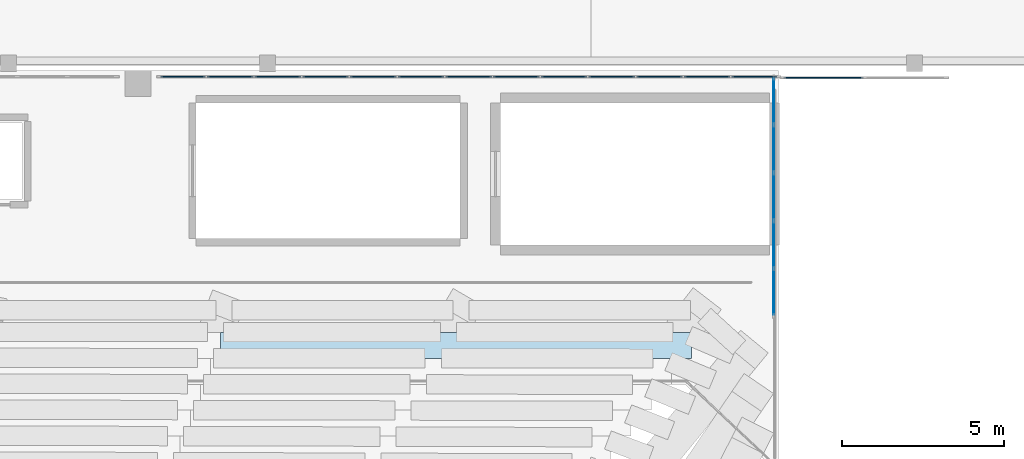
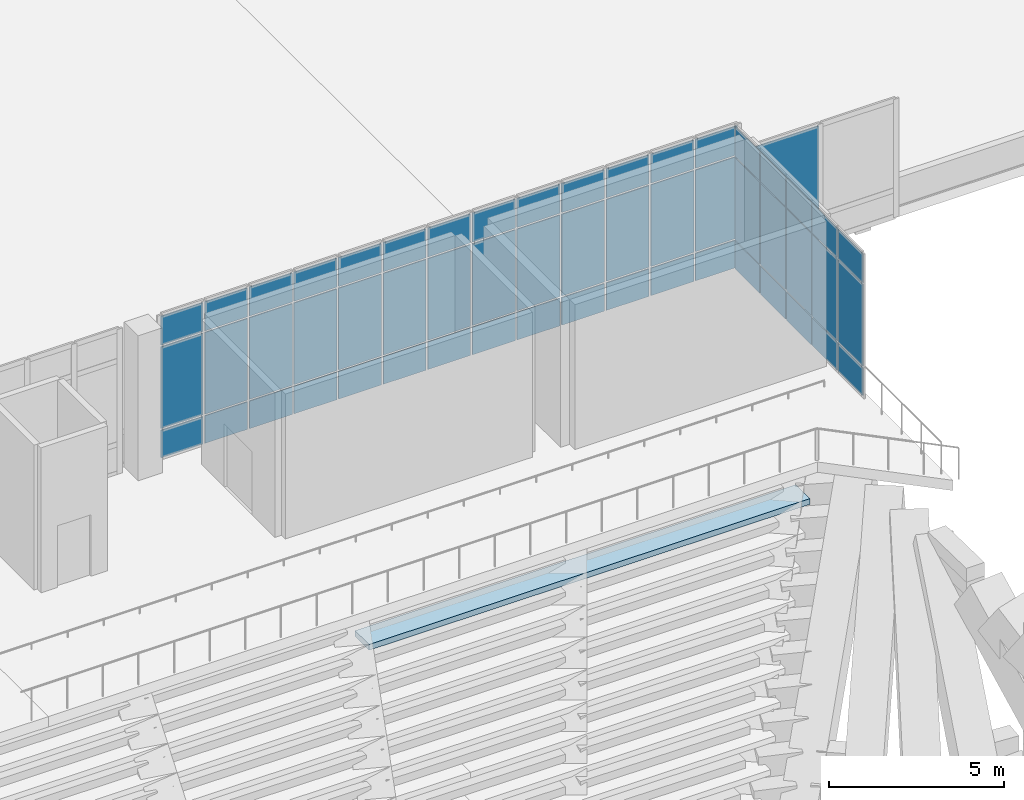
# One storey, part 40 of 55: 56 plates, 1 slab, 3 elements without a shape of their own.
"""IFC4 building model written with IfcOpenShell, lengths in metres."""

from ifc_helpers import new_model, si_unit, derived_unit, direction, frame, origin, origin_2d, place, context, subcontext, project, spatial, polyline, rectangle, outline, extrude, material, layer, layer_set, type_object, element, aggregate, save


model = new_model("IFC4")

# Units and contexts
model_context = context("Model", 3, precision=1e-05, world=origin(), true_north=direction((0.0, 1.0)))
body_context = subcontext(model_context, "Body", "Model", "MODEL_VIEW")
ifc_project = project(units=[si_unit("LENGTHUNIT", "METRE"), si_unit("AREAUNIT", "SQUARE_METRE"), si_unit("VOLUMEUNIT", "CUBIC_METRE"), si_unit("PLANEANGLEUNIT", "RADIAN"), si_unit("MASSUNIT", "GRAM", prefix="KILO"), derived_unit("THERMALTRANSMITTANCEUNIT", [(si_unit("MASSUNIT", "GRAM", prefix="KILO"), 1), (si_unit("TIMEUNIT", "SECOND"), -3), (si_unit("THERMODYNAMICTEMPERATUREUNIT", "KELVIN"), -1)])], contexts=[model_context])

# Site, building, storey
site_placement = place(None, origin())
site = spatial("IfcSite", under=ifc_project, at=site_placement, CompositionType="ELEMENT")
building_placement = place(site_placement, origin())
building = spatial("IfcBuilding", under=site, at=building_placement, Name="Valcora Ridge Arena", CompositionType="ELEMENT")
storey_placement = place(building_placement, frame((0.0, 0.0, 21.0)))
storey = spatial("IfcBuildingStorey", under=building, at=storey_placement, Name="L04", CompositionType="ELEMENT", Elevation=21.0)

# Curtain wall, plates
ifc_material_1 = material(Name="Anodised dark bronze architectural aluminium 6063-T6", Category="aluminium")
ifc_layer_1 = layer(ifc_material_1, 0.179931640625, Name="Anodised dark bronze architectural aluminium 6063-T6")
ifc_layer_set_1 = layer_set([ifc_layer_1], Name="Anodised dark bronze architectural aluminium 6063-T6")
curtain_wall_type_1 = type_object("IfcCurtainWallType", Name="TY-CURTAINWALL-CW-V1-GOTH-192X51", PredefinedType="NOTDEFINED", material=ifc_layer_set_1)
curtain_wall_1_placement = place(storey_placement, origin())
curtain_wall_1 = element("IfcCurtainWall", 1, at=curtain_wall_1_placement, inside=storey, type_object=curtain_wall_type_1, Name="CW-V1-GOTH-192X51 CW-0160", PredefinedType="NOTDEFINED")
ifc_material_2 = material(Name="Low-iron solar-control double glazing SHGC 0.28", Category="glass")
ifc_layer_2 = layer(ifc_material_2, 0.031982421875, Name="Low-iron solar-control double glazing SHGC 0.28")
ifc_layer_set_2 = layer_set([ifc_layer_2], Name="Low-iron solar-control double glazing SHGC 0.28")
plate_type_1 = type_object("IfcPlateType", Name="TY-PLT-CWP-1384X0960", PredefinedType="CURTAIN_PANEL", material=ifc_layer_set_2)
plate_1_placement = place(storey_placement, frame((71.39208984375, 108.0, 0.06005859375), z_axis=(0.0, 0.0, 1.0), x_axis=(1.0, 0.0, 0.0)))
plate_1 = element("IfcPlate", 2, at=plate_1_placement, type_object=plate_type_1, Name="CW-0160/P00-00", PredefinedType="CURTAIN_PANEL", context=body_context, shape_type="SweptSolid", body=[
    extrude(rectangle(XDim=1.384033203125, YDim=0.031982421875, at=origin_2d()), origin(), (0.0, 0.0, 1.0), 0.9599609375),
])
plate_2_placement = place(storey_placement, frame((89.048095703125, 108.0, 0.06005859375), z_axis=(0.0, 0.0, 1.0), x_axis=(1.0, 0.0, 0.0)))
plate_2 = element("IfcPlate", 3, at=plate_2_placement, type_object=plate_type_1, Name="CW-0160/P12-00", PredefinedType="CURTAIN_PANEL", context=body_context, shape_type="SweptSolid", body=[
    extrude(rectangle(XDim=1.384033203125, YDim=0.031982421875, at=origin_2d()), origin(), (0.0, 0.0, 1.0), 0.9599609375),
])
ifc_layer_3 = layer(ifc_material_2, 0.031982421875, Name="Low-iron solar-control double glazing SHGC 0.28")
ifc_layer_set_3 = layer_set([ifc_layer_3], Name="Low-iron solar-control double glazing SHGC 0.28")
plate_type_2 = type_object("IfcPlateType", Name="TY-PLT-CWP-1384X1010", PredefinedType="CURTAIN_PANEL", material=ifc_layer_set_3)
plate_3_placement = place(storey_placement, frame((71.39208984375, 108.0, 3.990234375), z_axis=(0.0, 0.0, 1.0), x_axis=(1.0, 0.0, 0.0)))
plate_3 = element("IfcPlate", 4, at=plate_3_placement, type_object=plate_type_2, Name="CW-0160/P00-02", PredefinedType="CURTAIN_PANEL", context=body_context, shape_type="SweptSolid", body=[
    extrude(rectangle(XDim=1.384033203125, YDim=0.031982421875, at=origin_2d()), origin(), (0.0, 0.0, 1.0), 1.010009765625),
])
plate_4_placement = place(storey_placement, frame((89.048095703125, 108.0, 3.990234375), z_axis=(0.0, 0.0, 1.0), x_axis=(1.0, 0.0, 0.0)))
plate_4 = element("IfcPlate", 5, at=plate_4_placement, type_object=plate_type_2, Name="CW-0160/P12-02", PredefinedType="CURTAIN_PANEL", context=body_context, shape_type="SweptSolid", body=[
    extrude(rectangle(XDim=1.384033203125, YDim=0.031982421875, at=origin_2d()), origin(), (0.0, 0.0, 1.0), 1.010009765625),
])
ifc_layer_4 = layer(ifc_material_2, 0.031982421875, Name="Low-iron solar-control double glazing SHGC 0.28")
ifc_layer_set_4 = layer_set([ifc_layer_4], Name="Low-iron solar-control double glazing SHGC 0.28")
plate_type_3 = type_object("IfcPlateType", Name="TY-PLT-CWP-1384X2850", PredefinedType="CURTAIN_PANEL", material=ifc_layer_set_4)
plate_5_placement = place(storey_placement, frame((71.39208984375, 108.0, 1.079833984375), z_axis=(0.0, 0.0, 1.0), x_axis=(1.0, 0.0, 0.0)))
plate_5 = element("IfcPlate", 6, at=plate_5_placement, type_object=plate_type_3, Name="CW-0160/P00-01", PredefinedType="CURTAIN_PANEL", context=body_context, shape_type="SweptSolid", body=[
    extrude(rectangle(XDim=1.384033203125, YDim=0.031982421875, at=origin_2d()), origin(), (0.0, 0.0, 1.0), 2.85009765625),
])
plate_6_placement = place(storey_placement, frame((89.048095703125, 108.0, 1.079833984375), z_axis=(0.0, 0.0, 1.0), x_axis=(1.0, 0.0, 0.0)))
plate_6 = element("IfcPlate", 7, at=plate_6_placement, type_object=plate_type_3, Name="CW-0160/P12-01", PredefinedType="CURTAIN_PANEL", context=body_context, shape_type="SweptSolid", body=[
    extrude(rectangle(XDim=1.384033203125, YDim=0.031982421875, at=origin_2d()), origin(), (0.0, 0.0, 1.0), 2.85009765625),
])

ifc_layer_5 = layer(ifc_material_1, 0.14990234375, Name="Anodised dark bronze architectural aluminium 6063-T6")
ifc_layer_set_5 = layer_set([ifc_layer_5], Name="Anodised dark bronze architectural aluminium 6063-T6")
curtain_wall_type_2 = type_object("IfcCurtainWallType", Name="TY-CURTAINWALL-CW-V1-EAST-074X51", PredefinedType="NOTDEFINED", material=ifc_layer_set_5)
curtain_wall_2_placement = place(storey_placement, origin())
curtain_wall_2 = element("IfcCurtainWall", 8, at=curtain_wall_2_placement, inside=storey, type_object=curtain_wall_type_2, Name="CW-V1-EAST-074X51 CW-0162", PredefinedType="NOTDEFINED")
ifc_layer_6 = layer(ifc_material_2, 0.028076171875, Name="Low-iron solar-control double glazing SHGC 0.28")
ifc_layer_set_6 = layer_set([ifc_layer_6], Name="Low-iron solar-control double glazing SHGC 0.28")
plate_type_4 = type_object("IfcPlateType", Name="TY-PLT-CWP-1405X0975", PredefinedType="CURTAIN_PANEL", material=ifc_layer_set_6)
plate_7_placement = place(storey_placement, frame((89.64990234375, 101.3525390625, 0.050048828125), z_axis=(0.0, 0.0, 1.0), x_axis=(0.0, 1.0, 0.0)))
plate_7 = element("IfcPlate", 9, at=plate_7_placement, type_object=plate_type_4, Name="CW-0162/P00-00", PredefinedType="CURTAIN_PANEL", context=body_context, shape_type="SweptSolid", body=[
    extrude(rectangle(XDim=1.405029296875, YDim=0.028076171875, at=origin_2d()), origin(), (0.0, 0.0, 1.0), 0.97509765625),
])
plate_8_placement = place(storey_placement, frame((89.64990234375, 107.24755859375, 0.050048828125), z_axis=(0.0, 0.0, 1.0), x_axis=(0.0, 1.0, 0.0)))
plate_8 = element("IfcPlate", 10, at=plate_8_placement, type_object=plate_type_4, Name="CW-0162/P04-00", PredefinedType="CURTAIN_PANEL", context=body_context, shape_type="SweptSolid", body=[
    extrude(rectangle(XDim=1.405029296875, YDim=0.028076171875, at=origin_2d()), origin(), (0.0, 0.0, 1.0), 0.97509765625),
])
ifc_layer_7 = layer(ifc_material_2, 0.028076171875, Name="Low-iron solar-control double glazing SHGC 0.28")
ifc_layer_set_7 = layer_set([ifc_layer_7], Name="Low-iron solar-control double glazing SHGC 0.28")
plate_type_5 = type_object("IfcPlateType", Name="TY-PLT-CWP-1405X1025", PredefinedType="CURTAIN_PANEL", material=ifc_layer_set_7)
plate_9_placement = place(storey_placement, frame((89.64990234375, 101.3525390625, 3.985107421875), z_axis=(0.0, 0.0, 1.0), x_axis=(0.0, 1.0, 0.0)))
plate_9 = element("IfcPlate", 11, at=plate_9_placement, type_object=plate_type_5, Name="CW-0162/P00-02", PredefinedType="CURTAIN_PANEL", context=body_context, shape_type="SweptSolid", body=[
    extrude(rectangle(XDim=1.405029296875, YDim=0.028076171875, at=origin_2d()), origin(), (0.0, 0.0, 1.0), 1.02490234375),
])
plate_10_placement = place(storey_placement, frame((89.64990234375, 107.24755859375, 3.985107421875), z_axis=(0.0, 0.0, 1.0), x_axis=(0.0, 1.0, 0.0)))
plate_10 = element("IfcPlate", 12, at=plate_10_placement, type_object=plate_type_5, Name="CW-0162/P04-02", PredefinedType="CURTAIN_PANEL", context=body_context, shape_type="SweptSolid", body=[
    extrude(rectangle(XDim=1.405029296875, YDim=0.028076171875, at=origin_2d()), origin(), (0.0, 0.0, 1.0), 1.02490234375),
])
ifc_layer_8 = layer(ifc_material_2, 0.028076171875, Name="Low-iron solar-control double glazing SHGC 0.28")
ifc_layer_set_8 = layer_set([ifc_layer_8], Name="Low-iron solar-control double glazing SHGC 0.28")
plate_type_6 = type_object("IfcPlateType", Name="TY-PLT-CWP-1405X2860", PredefinedType="CURTAIN_PANEL", material=ifc_layer_set_8)
plate_11_placement = place(storey_placement, frame((89.64990234375, 101.3525390625, 1.07470703125), z_axis=(0.0, 0.0, 1.0), x_axis=(0.0, 1.0, 0.0)))
plate_11 = element("IfcPlate", 13, at=plate_11_placement, type_object=plate_type_6, Name="CW-0162/P00-01", PredefinedType="CURTAIN_PANEL", context=body_context, shape_type="SweptSolid", body=[
    extrude(rectangle(XDim=1.405029296875, YDim=0.028076171875, at=origin_2d()), origin(), (0.0, 0.0, 1.0), 2.860107421875),
])
plate_12_placement = place(storey_placement, frame((89.64990234375, 107.24755859375, 1.07470703125), z_axis=(0.0, 0.0, 1.0), x_axis=(0.0, 1.0, 0.0)))
plate_12 = element("IfcPlate", 14, at=plate_12_placement, type_object=plate_type_6, Name="CW-0162/P04-01", PredefinedType="CURTAIN_PANEL", context=body_context, shape_type="SweptSolid", body=[
    extrude(rectangle(XDim=1.405029296875, YDim=0.028076171875, at=origin_2d()), origin(), (0.0, 0.0, 1.0), 2.860107421875),
])

# Plate
ifc_layer_9 = layer(ifc_material_2, 0.031982421875, Name="Low-iron solar-control double glazing SHGC 0.28")
ifc_layer_set_9 = layer_set([ifc_layer_9], Name="Low-iron solar-control double glazing SHGC 0.28")
plate_type_7 = type_object("IfcPlateType", Name="TY-PLT-CWP-1413X0960", PredefinedType="CURTAIN_PANEL", material=ifc_layer_set_9)
plate_13_placement = place(storey_placement, frame((75.798583984375, 108.0, 0.06005859375), z_axis=(0.0, 0.0, 1.0), x_axis=(1.0, 0.0, 0.0)))
plate_13 = element("IfcPlate", 15, at=plate_13_placement, type_object=plate_type_7, Name="CW-0160/P03-00", PredefinedType="CURTAIN_PANEL", context=body_context, shape_type="SweptSolid", body=[
    extrude(rectangle(XDim=1.4130859375, YDim=0.031982421875, at=origin_2d()), origin(), (0.0, 0.0, 1.0), 0.9599609375),
])

plate_14_placement = place(storey_placement, frame((84.6416015625, 108.0, 0.06005859375), z_axis=(0.0, 0.0, 1.0), x_axis=(1.0, 0.0, 0.0)))
plate_14 = element("IfcPlate", 16, at=plate_14_placement, type_object=plate_type_7, Name="CW-0160/P09-00", PredefinedType="CURTAIN_PANEL", context=body_context, shape_type="SweptSolid", body=[
    extrude(rectangle(XDim=1.4130859375, YDim=0.031982421875, at=origin_2d()), origin(), (0.0, 0.0, 1.0), 0.9599609375),
])

ifc_layer_10 = layer(ifc_material_2, 0.031982421875, Name="Low-iron solar-control double glazing SHGC 0.28")
ifc_layer_set_10 = layer_set([ifc_layer_10], Name="Low-iron solar-control double glazing SHGC 0.28")
plate_type_8 = type_object("IfcPlateType", Name="TY-PLT-CWP-1413X1010", PredefinedType="CURTAIN_PANEL", material=ifc_layer_set_10)
plate_15_placement = place(storey_placement, frame((75.798583984375, 108.0, 3.990234375), z_axis=(0.0, 0.0, 1.0), x_axis=(1.0, 0.0, 0.0)))
plate_15 = element("IfcPlate", 17, at=plate_15_placement, type_object=plate_type_8, Name="CW-0160/P03-02", PredefinedType="CURTAIN_PANEL", context=body_context, shape_type="SweptSolid", body=[
    extrude(rectangle(XDim=1.4130859375, YDim=0.031982421875, at=origin_2d()), origin(), (0.0, 0.0, 1.0), 1.010009765625),
])

plate_16_placement = place(storey_placement, frame((84.6416015625, 108.0, 3.990234375), z_axis=(0.0, 0.0, 1.0), x_axis=(1.0, 0.0, 0.0)))
plate_16 = element("IfcPlate", 18, at=plate_16_placement, type_object=plate_type_8, Name="CW-0160/P09-02", PredefinedType="CURTAIN_PANEL", context=body_context, shape_type="SweptSolid", body=[
    extrude(rectangle(XDim=1.4130859375, YDim=0.031982421875, at=origin_2d()), origin(), (0.0, 0.0, 1.0), 1.010009765625),
])

ifc_layer_11 = layer(ifc_material_2, 0.031982421875, Name="Low-iron solar-control double glazing SHGC 0.28")
ifc_layer_set_11 = layer_set([ifc_layer_11], Name="Low-iron solar-control double glazing SHGC 0.28")
plate_type_9 = type_object("IfcPlateType", Name="TY-PLT-CWP-1413X2850", PredefinedType="CURTAIN_PANEL", material=ifc_layer_set_11)
plate_17_placement = place(storey_placement, frame((75.798583984375, 108.0, 1.079833984375), z_axis=(0.0, 0.0, 1.0), x_axis=(1.0, 0.0, 0.0)))
plate_17 = element("IfcPlate", 19, at=plate_17_placement, type_object=plate_type_9, Name="CW-0160/P03-01", PredefinedType="CURTAIN_PANEL", context=body_context, shape_type="SweptSolid", body=[
    extrude(rectangle(XDim=1.4130859375, YDim=0.031982421875, at=origin_2d()), origin(), (0.0, 0.0, 1.0), 2.85009765625),
])

plate_18_placement = place(storey_placement, frame((84.6416015625, 108.0, 1.079833984375), z_axis=(0.0, 0.0, 1.0), x_axis=(1.0, 0.0, 0.0)))
plate_18 = element("IfcPlate", 20, at=plate_18_placement, type_object=plate_type_9, Name="CW-0160/P09-01", PredefinedType="CURTAIN_PANEL", context=body_context, shape_type="SweptSolid", body=[
    extrude(rectangle(XDim=1.4130859375, YDim=0.031982421875, at=origin_2d()), origin(), (0.0, 0.0, 1.0), 2.85009765625),
])

ifc_layer_12 = layer(ifc_material_2, 0.031982421875, Name="Low-iron solar-control double glazing SHGC 0.28")
ifc_layer_set_12 = layer_set([ifc_layer_12], Name="Low-iron solar-control double glazing SHGC 0.28")
plate_type_10 = type_object("IfcPlateType", Name="TY-PLT-CWP-1414X0960", PredefinedType="CURTAIN_PANEL", material=ifc_layer_set_12)
plate_19_placement = place(storey_placement, frame((72.85107421875, 108.0, 0.06005859375), z_axis=(0.0, 0.0, 1.0), x_axis=(1.0, 0.0, 0.0)))
plate_19 = element("IfcPlate", 21, at=plate_19_placement, type_object=plate_type_10, Name="CW-0160/P01-00", PredefinedType="CURTAIN_PANEL", context=body_context, shape_type="SweptSolid", body=[
    extrude(rectangle(XDim=1.4140625, YDim=0.031982421875, at=origin_2d()), origin(), (0.0, 0.0, 1.0), 0.9599609375),
])

plate_20_placement = place(storey_placement, frame((74.324951171875, 108.0, 0.06005859375), z_axis=(0.0, 0.0, 1.0), x_axis=(1.0, 0.0, 0.0)))
plate_20 = element("IfcPlate", 22, at=plate_20_placement, type_object=plate_type_10, Name="CW-0160/P02-00", PredefinedType="CURTAIN_PANEL", context=body_context, shape_type="SweptSolid", body=[
    extrude(rectangle(XDim=1.4140625, YDim=0.031982421875, at=origin_2d()), origin(), (0.0, 0.0, 1.0), 0.9599609375),
])

plate_21_placement = place(storey_placement, frame((77.27197265625, 108.0, 0.06005859375), z_axis=(0.0, 0.0, 1.0), x_axis=(1.0, 0.0, 0.0)))
plate_21 = element("IfcPlate", 23, at=plate_21_placement, type_object=plate_type_10, Name="CW-0160/P04-00", PredefinedType="CURTAIN_PANEL", context=body_context, shape_type="SweptSolid", body=[
    extrude(rectangle(XDim=1.4140625, YDim=0.031982421875, at=origin_2d()), origin(), (0.0, 0.0, 1.0), 0.9599609375),
])

plate_22_placement = place(storey_placement, frame((78.74609375, 108.0, 0.06005859375), z_axis=(0.0, 0.0, 1.0), x_axis=(1.0, 0.0, 0.0)))
plate_22 = element("IfcPlate", 24, at=plate_22_placement, type_object=plate_type_10, Name="CW-0160/P05-00", PredefinedType="CURTAIN_PANEL", context=body_context, shape_type="SweptSolid", body=[
    extrude(rectangle(XDim=1.4140625, YDim=0.031982421875, at=origin_2d()), origin(), (0.0, 0.0, 1.0), 0.9599609375),
])

plate_23_placement = place(storey_placement, frame((80.219970703125, 108.0, 0.06005859375), z_axis=(0.0, 0.0, 1.0), x_axis=(1.0, 0.0, 0.0)))
plate_23 = element("IfcPlate", 25, at=plate_23_placement, type_object=plate_type_10, Name="CW-0160/P06-00", PredefinedType="CURTAIN_PANEL", context=body_context, shape_type="SweptSolid", body=[
    extrude(rectangle(XDim=1.4140625, YDim=0.031982421875, at=origin_2d()), origin(), (0.0, 0.0, 1.0), 0.9599609375),
])

plate_24_placement = place(storey_placement, frame((81.694091796875, 108.0, 0.06005859375), z_axis=(0.0, 0.0, 1.0), x_axis=(1.0, 0.0, 0.0)))
plate_24 = element("IfcPlate", 26, at=plate_24_placement, type_object=plate_type_10, Name="CW-0160/P07-00", PredefinedType="CURTAIN_PANEL", context=body_context, shape_type="SweptSolid", body=[
    extrude(rectangle(XDim=1.4140625, YDim=0.031982421875, at=origin_2d()), origin(), (0.0, 0.0, 1.0), 0.9599609375),
])

plate_25_placement = place(storey_placement, frame((83.16796875, 108.0, 0.06005859375), z_axis=(0.0, 0.0, 1.0), x_axis=(1.0, 0.0, 0.0)))
plate_25 = element("IfcPlate", 27, at=plate_25_placement, type_object=plate_type_10, Name="CW-0160/P08-00", PredefinedType="CURTAIN_PANEL", context=body_context, shape_type="SweptSolid", body=[
    extrude(rectangle(XDim=1.4140625, YDim=0.031982421875, at=origin_2d()), origin(), (0.0, 0.0, 1.0), 0.9599609375),
])

plate_26_placement = place(storey_placement, frame((86.114990234375, 108.0, 0.06005859375), z_axis=(0.0, 0.0, 1.0), x_axis=(1.0, 0.0, 0.0)))
plate_26 = element("IfcPlate", 28, at=plate_26_placement, type_object=plate_type_10, Name="CW-0160/P10-00", PredefinedType="CURTAIN_PANEL", context=body_context, shape_type="SweptSolid", body=[
    extrude(rectangle(XDim=1.4140625, YDim=0.031982421875, at=origin_2d()), origin(), (0.0, 0.0, 1.0), 0.9599609375),
])

plate_27_placement = place(storey_placement, frame((87.589111328125, 108.0, 0.06005859375), z_axis=(0.0, 0.0, 1.0), x_axis=(1.0, 0.0, 0.0)))
plate_27 = element("IfcPlate", 29, at=plate_27_placement, type_object=plate_type_10, Name="CW-0160/P11-00", PredefinedType="CURTAIN_PANEL", context=body_context, shape_type="SweptSolid", body=[
    extrude(rectangle(XDim=1.4140625, YDim=0.031982421875, at=origin_2d()), origin(), (0.0, 0.0, 1.0), 0.9599609375),
])

ifc_layer_13 = layer(ifc_material_2, 0.031982421875, Name="Low-iron solar-control double glazing SHGC 0.28")
ifc_layer_set_13 = layer_set([ifc_layer_13], Name="Low-iron solar-control double glazing SHGC 0.28")
plate_type_11 = type_object("IfcPlateType", Name="TY-PLT-CWP-1414X1010", PredefinedType="CURTAIN_PANEL", material=ifc_layer_set_13)
plate_28_placement = place(storey_placement, frame((72.85107421875, 108.0, 3.990234375), z_axis=(0.0, 0.0, 1.0), x_axis=(1.0, 0.0, 0.0)))
plate_28 = element("IfcPlate", 30, at=plate_28_placement, type_object=plate_type_11, Name="CW-0160/P01-02", PredefinedType="CURTAIN_PANEL", context=body_context, shape_type="SweptSolid", body=[
    extrude(rectangle(XDim=1.4140625, YDim=0.031982421875, at=origin_2d()), origin(), (0.0, 0.0, 1.0), 1.010009765625),
])

plate_29_placement = place(storey_placement, frame((74.324951171875, 108.0, 3.990234375), z_axis=(0.0, 0.0, 1.0), x_axis=(1.0, 0.0, 0.0)))
plate_29 = element("IfcPlate", 31, at=plate_29_placement, type_object=plate_type_11, Name="CW-0160/P02-02", PredefinedType="CURTAIN_PANEL", context=body_context, shape_type="SweptSolid", body=[
    extrude(rectangle(XDim=1.4140625, YDim=0.031982421875, at=origin_2d()), origin(), (0.0, 0.0, 1.0), 1.010009765625),
])

plate_30_placement = place(storey_placement, frame((77.27197265625, 108.0, 3.990234375), z_axis=(0.0, 0.0, 1.0), x_axis=(1.0, 0.0, 0.0)))
plate_30 = element("IfcPlate", 32, at=plate_30_placement, type_object=plate_type_11, Name="CW-0160/P04-02", PredefinedType="CURTAIN_PANEL", context=body_context, shape_type="SweptSolid", body=[
    extrude(rectangle(XDim=1.4140625, YDim=0.031982421875, at=origin_2d()), origin(), (0.0, 0.0, 1.0), 1.010009765625),
])

plate_31_placement = place(storey_placement, frame((78.74609375, 108.0, 3.990234375), z_axis=(0.0, 0.0, 1.0), x_axis=(1.0, 0.0, 0.0)))
plate_31 = element("IfcPlate", 33, at=plate_31_placement, type_object=plate_type_11, Name="CW-0160/P05-02", PredefinedType="CURTAIN_PANEL", context=body_context, shape_type="SweptSolid", body=[
    extrude(rectangle(XDim=1.4140625, YDim=0.031982421875, at=origin_2d()), origin(), (0.0, 0.0, 1.0), 1.010009765625),
])

plate_32_placement = place(storey_placement, frame((80.219970703125, 108.0, 3.990234375), z_axis=(0.0, 0.0, 1.0), x_axis=(1.0, 0.0, 0.0)))
plate_32 = element("IfcPlate", 34, at=plate_32_placement, type_object=plate_type_11, Name="CW-0160/P06-02", PredefinedType="CURTAIN_PANEL", context=body_context, shape_type="SweptSolid", body=[
    extrude(rectangle(XDim=1.4140625, YDim=0.031982421875, at=origin_2d()), origin(), (0.0, 0.0, 1.0), 1.010009765625),
])

plate_33_placement = place(storey_placement, frame((81.694091796875, 108.0, 3.990234375), z_axis=(0.0, 0.0, 1.0), x_axis=(1.0, 0.0, 0.0)))
plate_33 = element("IfcPlate", 35, at=plate_33_placement, type_object=plate_type_11, Name="CW-0160/P07-02", PredefinedType="CURTAIN_PANEL", context=body_context, shape_type="SweptSolid", body=[
    extrude(rectangle(XDim=1.4140625, YDim=0.031982421875, at=origin_2d()), origin(), (0.0, 0.0, 1.0), 1.010009765625),
])

plate_34_placement = place(storey_placement, frame((83.16796875, 108.0, 3.990234375), z_axis=(0.0, 0.0, 1.0), x_axis=(1.0, 0.0, 0.0)))
plate_34 = element("IfcPlate", 36, at=plate_34_placement, type_object=plate_type_11, Name="CW-0160/P08-02", PredefinedType="CURTAIN_PANEL", context=body_context, shape_type="SweptSolid", body=[
    extrude(rectangle(XDim=1.4140625, YDim=0.031982421875, at=origin_2d()), origin(), (0.0, 0.0, 1.0), 1.010009765625),
])

plate_35_placement = place(storey_placement, frame((86.114990234375, 108.0, 3.990234375), z_axis=(0.0, 0.0, 1.0), x_axis=(1.0, 0.0, 0.0)))
plate_35 = element("IfcPlate", 37, at=plate_35_placement, type_object=plate_type_11, Name="CW-0160/P10-02", PredefinedType="CURTAIN_PANEL", context=body_context, shape_type="SweptSolid", body=[
    extrude(rectangle(XDim=1.4140625, YDim=0.031982421875, at=origin_2d()), origin(), (0.0, 0.0, 1.0), 1.010009765625),
])

plate_36_placement = place(storey_placement, frame((87.589111328125, 108.0, 3.990234375), z_axis=(0.0, 0.0, 1.0), x_axis=(1.0, 0.0, 0.0)))
plate_36 = element("IfcPlate", 38, at=plate_36_placement, type_object=plate_type_11, Name="CW-0160/P11-02", PredefinedType="CURTAIN_PANEL", context=body_context, shape_type="SweptSolid", body=[
    extrude(rectangle(XDim=1.4140625, YDim=0.031982421875, at=origin_2d()), origin(), (0.0, 0.0, 1.0), 1.010009765625),
])

ifc_layer_14 = layer(ifc_material_2, 0.031982421875, Name="Low-iron solar-control double glazing SHGC 0.28")
ifc_layer_set_14 = layer_set([ifc_layer_14], Name="Low-iron solar-control double glazing SHGC 0.28")
plate_type_12 = type_object("IfcPlateType", Name="TY-PLT-CWP-1414X2850", PredefinedType="CURTAIN_PANEL", material=ifc_layer_set_14)
plate_37_placement = place(storey_placement, frame((72.85107421875, 108.0, 1.079833984375), z_axis=(0.0, 0.0, 1.0), x_axis=(1.0, 0.0, 0.0)))
plate_37 = element("IfcPlate", 39, at=plate_37_placement, type_object=plate_type_12, Name="CW-0160/P01-01", PredefinedType="CURTAIN_PANEL", context=body_context, shape_type="SweptSolid", body=[
    extrude(rectangle(XDim=1.4140625, YDim=0.031982421875, at=origin_2d()), origin(), (0.0, 0.0, 1.0), 2.85009765625),
])

plate_38_placement = place(storey_placement, frame((74.324951171875, 108.0, 1.079833984375), z_axis=(0.0, 0.0, 1.0), x_axis=(1.0, 0.0, 0.0)))
plate_38 = element("IfcPlate", 40, at=plate_38_placement, type_object=plate_type_12, Name="CW-0160/P02-01", PredefinedType="CURTAIN_PANEL", context=body_context, shape_type="SweptSolid", body=[
    extrude(rectangle(XDim=1.4140625, YDim=0.031982421875, at=origin_2d()), origin(), (0.0, 0.0, 1.0), 2.85009765625),
])

plate_39_placement = place(storey_placement, frame((77.27197265625, 108.0, 1.079833984375), z_axis=(0.0, 0.0, 1.0), x_axis=(1.0, 0.0, 0.0)))
plate_39 = element("IfcPlate", 41, at=plate_39_placement, type_object=plate_type_12, Name="CW-0160/P04-01", PredefinedType="CURTAIN_PANEL", context=body_context, shape_type="SweptSolid", body=[
    extrude(rectangle(XDim=1.4140625, YDim=0.031982421875, at=origin_2d()), origin(), (0.0, 0.0, 1.0), 2.85009765625),
])

plate_40_placement = place(storey_placement, frame((78.74609375, 108.0, 1.079833984375), z_axis=(0.0, 0.0, 1.0), x_axis=(1.0, 0.0, 0.0)))
plate_40 = element("IfcPlate", 42, at=plate_40_placement, type_object=plate_type_12, Name="CW-0160/P05-01", PredefinedType="CURTAIN_PANEL", context=body_context, shape_type="SweptSolid", body=[
    extrude(rectangle(XDim=1.4140625, YDim=0.031982421875, at=origin_2d()), origin(), (0.0, 0.0, 1.0), 2.85009765625),
])

plate_41_placement = place(storey_placement, frame((80.219970703125, 108.0, 1.079833984375), z_axis=(0.0, 0.0, 1.0), x_axis=(1.0, 0.0, 0.0)))
plate_41 = element("IfcPlate", 43, at=plate_41_placement, type_object=plate_type_12, Name="CW-0160/P06-01", PredefinedType="CURTAIN_PANEL", context=body_context, shape_type="SweptSolid", body=[
    extrude(rectangle(XDim=1.4140625, YDim=0.031982421875, at=origin_2d()), origin(), (0.0, 0.0, 1.0), 2.85009765625),
])

plate_42_placement = place(storey_placement, frame((81.694091796875, 108.0, 1.079833984375), z_axis=(0.0, 0.0, 1.0), x_axis=(1.0, 0.0, 0.0)))
plate_42 = element("IfcPlate", 44, at=plate_42_placement, type_object=plate_type_12, Name="CW-0160/P07-01", PredefinedType="CURTAIN_PANEL", context=body_context, shape_type="SweptSolid", body=[
    extrude(rectangle(XDim=1.4140625, YDim=0.031982421875, at=origin_2d()), origin(), (0.0, 0.0, 1.0), 2.85009765625),
])

plate_43_placement = place(storey_placement, frame((83.16796875, 108.0, 1.079833984375), z_axis=(0.0, 0.0, 1.0), x_axis=(1.0, 0.0, 0.0)))
plate_43 = element("IfcPlate", 45, at=plate_43_placement, type_object=plate_type_12, Name="CW-0160/P08-01", PredefinedType="CURTAIN_PANEL", context=body_context, shape_type="SweptSolid", body=[
    extrude(rectangle(XDim=1.4140625, YDim=0.031982421875, at=origin_2d()), origin(), (0.0, 0.0, 1.0), 2.85009765625),
])

plate_44_placement = place(storey_placement, frame((86.114990234375, 108.0, 1.079833984375), z_axis=(0.0, 0.0, 1.0), x_axis=(1.0, 0.0, 0.0)))
plate_44 = element("IfcPlate", 46, at=plate_44_placement, type_object=plate_type_12, Name="CW-0160/P10-01", PredefinedType="CURTAIN_PANEL", context=body_context, shape_type="SweptSolid", body=[
    extrude(rectangle(XDim=1.4140625, YDim=0.031982421875, at=origin_2d()), origin(), (0.0, 0.0, 1.0), 2.85009765625),
])

plate_45_placement = place(storey_placement, frame((87.589111328125, 108.0, 1.079833984375), z_axis=(0.0, 0.0, 1.0), x_axis=(1.0, 0.0, 0.0)))
plate_45 = element("IfcPlate", 47, at=plate_45_placement, type_object=plate_type_12, Name="CW-0160/P11-01", PredefinedType="CURTAIN_PANEL", context=body_context, shape_type="SweptSolid", body=[
    extrude(rectangle(XDim=1.4140625, YDim=0.031982421875, at=origin_2d()), origin(), (0.0, 0.0, 1.0), 2.85009765625),
])

aggregate(curtain_wall_1, [plate_1, plate_5, plate_3, plate_19, plate_37, plate_28, plate_20, plate_38, plate_29, plate_13, plate_17, plate_15, plate_21, plate_39, plate_30, plate_22, plate_40, plate_31, plate_23, plate_41, plate_32, plate_24, plate_42, plate_33, plate_25, plate_43, plate_34, plate_14, plate_18, plate_16, plate_26, plate_44, plate_35, plate_27, plate_45, plate_36, plate_2, plate_6, plate_4])

ifc_layer_15 = layer(ifc_material_2, 0.028076171875, Name="Low-iron solar-control double glazing SHGC 0.28")
ifc_layer_set_15 = layer_set([ifc_layer_15], Name="Low-iron solar-control double glazing SHGC 0.28")
plate_type_13 = type_object("IfcPlateType", Name="TY-PLT-CWP-1430X0975", PredefinedType="CURTAIN_PANEL", material=ifc_layer_set_15)
plate_46_placement = place(storey_placement, frame((89.64990234375, 102.820068359375, 0.050048828125), z_axis=(0.0, 0.0, 1.0), x_axis=(0.0, 1.0, 0.0)))
plate_46 = element("IfcPlate", 48, at=plate_46_placement, type_object=plate_type_13, Name="CW-0162/P01-00", PredefinedType="CURTAIN_PANEL", context=body_context, shape_type="SweptSolid", body=[
    extrude(rectangle(XDim=1.429931640625, YDim=0.028076171875, at=origin_2d()), origin(), (0.0, 0.0, 1.0), 0.97509765625),
])

plate_47_placement = place(storey_placement, frame((89.64990234375, 104.300048828125, 0.050048828125), z_axis=(0.0, 0.0, 1.0), x_axis=(0.0, 1.0, 0.0)))
plate_47 = element("IfcPlate", 49, at=plate_47_placement, type_object=plate_type_13, Name="CW-0162/P02-00", PredefinedType="CURTAIN_PANEL", context=body_context, shape_type="SweptSolid", body=[
    extrude(rectangle(XDim=1.429931640625, YDim=0.028076171875, at=origin_2d()), origin(), (0.0, 0.0, 1.0), 0.97509765625),
])

plate_48_placement = place(storey_placement, frame((89.64990234375, 105.780029296875, 0.050048828125), z_axis=(0.0, 0.0, 1.0), x_axis=(0.0, 1.0, 0.0)))
plate_48 = element("IfcPlate", 50, at=plate_48_placement, type_object=plate_type_13, Name="CW-0162/P03-00", PredefinedType="CURTAIN_PANEL", context=body_context, shape_type="SweptSolid", body=[
    extrude(rectangle(XDim=1.429931640625, YDim=0.028076171875, at=origin_2d()), origin(), (0.0, 0.0, 1.0), 0.97509765625),
])

ifc_layer_16 = layer(ifc_material_2, 0.028076171875, Name="Low-iron solar-control double glazing SHGC 0.28")
ifc_layer_set_16 = layer_set([ifc_layer_16], Name="Low-iron solar-control double glazing SHGC 0.28")
plate_type_14 = type_object("IfcPlateType", Name="TY-PLT-CWP-1430X1025", PredefinedType="CURTAIN_PANEL", material=ifc_layer_set_16)
plate_49_placement = place(storey_placement, frame((89.64990234375, 102.820068359375, 3.985107421875), z_axis=(0.0, 0.0, 1.0), x_axis=(0.0, 1.0, 0.0)))
plate_49 = element("IfcPlate", 51, at=plate_49_placement, type_object=plate_type_14, Name="CW-0162/P01-02", PredefinedType="CURTAIN_PANEL", context=body_context, shape_type="SweptSolid", body=[
    extrude(rectangle(XDim=1.429931640625, YDim=0.028076171875, at=origin_2d()), origin(), (0.0, 0.0, 1.0), 1.02490234375),
])

plate_50_placement = place(storey_placement, frame((89.64990234375, 104.300048828125, 3.985107421875), z_axis=(0.0, 0.0, 1.0), x_axis=(0.0, 1.0, 0.0)))
plate_50 = element("IfcPlate", 52, at=plate_50_placement, type_object=plate_type_14, Name="CW-0162/P02-02", PredefinedType="CURTAIN_PANEL", context=body_context, shape_type="SweptSolid", body=[
    extrude(rectangle(XDim=1.429931640625, YDim=0.028076171875, at=origin_2d()), origin(), (0.0, 0.0, 1.0), 1.02490234375),
])

plate_51_placement = place(storey_placement, frame((89.64990234375, 105.780029296875, 3.985107421875), z_axis=(0.0, 0.0, 1.0), x_axis=(0.0, 1.0, 0.0)))
plate_51 = element("IfcPlate", 53, at=plate_51_placement, type_object=plate_type_14, Name="CW-0162/P03-02", PredefinedType="CURTAIN_PANEL", context=body_context, shape_type="SweptSolid", body=[
    extrude(rectangle(XDim=1.429931640625, YDim=0.028076171875, at=origin_2d()), origin(), (0.0, 0.0, 1.0), 1.02490234375),
])

ifc_layer_17 = layer(ifc_material_2, 0.028076171875, Name="Low-iron solar-control double glazing SHGC 0.28")
ifc_layer_set_17 = layer_set([ifc_layer_17], Name="Low-iron solar-control double glazing SHGC 0.28")
plate_type_15 = type_object("IfcPlateType", Name="TY-PLT-CWP-1430X2860", PredefinedType="CURTAIN_PANEL", material=ifc_layer_set_17)
plate_52_placement = place(storey_placement, frame((89.64990234375, 102.820068359375, 1.07470703125), z_axis=(0.0, 0.0, 1.0), x_axis=(0.0, 1.0, 0.0)))
plate_52 = element("IfcPlate", 54, at=plate_52_placement, type_object=plate_type_15, Name="CW-0162/P01-01", PredefinedType="CURTAIN_PANEL", context=body_context, shape_type="SweptSolid", body=[
    extrude(rectangle(XDim=1.429931640625, YDim=0.028076171875, at=origin_2d()), origin(), (0.0, 0.0, 1.0), 2.860107421875),
])

plate_53_placement = place(storey_placement, frame((89.64990234375, 104.300048828125, 1.07470703125), z_axis=(0.0, 0.0, 1.0), x_axis=(0.0, 1.0, 0.0)))
plate_53 = element("IfcPlate", 55, at=plate_53_placement, type_object=plate_type_15, Name="CW-0162/P02-01", PredefinedType="CURTAIN_PANEL", context=body_context, shape_type="SweptSolid", body=[
    extrude(rectangle(XDim=1.429931640625, YDim=0.028076171875, at=origin_2d()), origin(), (0.0, 0.0, 1.0), 2.860107421875),
])

plate_54_placement = place(storey_placement, frame((89.64990234375, 105.780029296875, 1.07470703125), z_axis=(0.0, 0.0, 1.0), x_axis=(0.0, 1.0, 0.0)))
plate_54 = element("IfcPlate", 56, at=plate_54_placement, type_object=plate_type_15, Name="CW-0162/P03-01", PredefinedType="CURTAIN_PANEL", context=body_context, shape_type="SweptSolid", body=[
    extrude(rectangle(XDim=1.429931640625, YDim=0.028076171875, at=origin_2d()), origin(), (0.0, 0.0, 1.0), 2.860107421875),
])

aggregate(curtain_wall_2, [plate_7, plate_11, plate_9, plate_46, plate_52, plate_49, plate_47, plate_53, plate_50, plate_48, plate_54, plate_51, plate_8, plate_12, plate_10])

# Curtain wall, plates
ifc_layer_18 = layer(ifc_material_1, 0.179931640625, Name="Anodised dark bronze architectural aluminium 6063-T6")
ifc_layer_set_18 = layer_set([ifc_layer_18], Name="Anodised dark bronze architectural aluminium 6063-T6")
curtain_wall_type_3 = type_object("IfcCurtainWallType", Name="TY-CURTAINWALL-CW-V1-TYMPN-051X41", PredefinedType="NOTDEFINED", material=ifc_layer_set_18)
curtain_wall_3_placement = place(storey_placement, origin())
curtain_wall_3 = element("IfcCurtainWall", 57, at=curtain_wall_3_placement, inside=storey, type_object=curtain_wall_type_3, Name="CW-V1-TYMPN-051X41 CW-0181", PredefinedType="NOTDEFINED")
ifc_layer_19 = layer(ifc_material_2, 0.031982421875, Name="Low-iron solar-control double glazing SHGC 0.28")
ifc_layer_set_19 = layer_set([ifc_layer_19], Name="Low-iron solar-control double glazing SHGC 0.28")
plate_type_16 = type_object("IfcPlateType", Name="TY-PLT-CWP-2460X0860", PredefinedType="CURTAIN_PANEL", material=ifc_layer_set_19)
plate_55_placement = place(storey_placement, frame((91.18994140625, 107.97998046875, 0.06005859375), z_axis=(0.0, 0.0, 1.0), x_axis=(1.0, 0.0, 0.0)))
plate_55 = element("IfcPlate", 58, at=plate_55_placement, type_object=plate_type_16, Name="CW-0181/P00-00", PredefinedType="CURTAIN_PANEL", context=body_context, shape_type="SweptSolid", body=[
    extrude(rectangle(XDim=2.4599609375, YDim=0.031982421875, at=origin_2d()), origin(), (0.0, 0.0, 1.0), 0.860107421875),
])
ifc_layer_20 = layer(ifc_material_2, 0.031982421875, Name="Low-iron solar-control double glazing SHGC 0.28")
ifc_layer_set_20 = layer_set([ifc_layer_20], Name="Low-iron solar-control double glazing SHGC 0.28")
plate_type_17 = type_object("IfcPlateType", Name="TY-PLT-CWP-2460X3086", PredefinedType="CURTAIN_PANEL", material=ifc_layer_set_20)
plate_56_placement = place(storey_placement, frame((91.18994140625, 107.97998046875, 0.97998046875), z_axis=(0.0, 0.0, 1.0), x_axis=(1.0, 0.0, 0.0)))
plate_56 = element("IfcPlate", 59, at=plate_56_placement, type_object=plate_type_17, Name="CW-0181/P00-01", PredefinedType="CURTAIN_PANEL", context=body_context, shape_type="SweptSolid", body=[
    extrude(rectangle(XDim=2.4599609375, YDim=0.031982421875, at=origin_2d()), origin(), (0.0, 0.0, 1.0), 3.0859375),
])
aggregate(curtain_wall_3, [plate_55, plate_56])

# Slab
ifc_material_3 = material(Name="Precast concrete C45/55", Category="concrete")
ifc_layer_21 = layer(ifc_material_3, 0.199951171875, Name="Precast concrete C45/55")
ifc_layer_set_21 = layer_set([ifc_layer_21], Name="Precast concrete C45/55")
slab_type = type_object("IfcSlabType", Name="TY-SLAB-ST-UPP-L146", PredefinedType="USERDEFINED", material=ifc_layer_set_21)
slab_placement = place(storey_placement, frame((0.0, 0.0, -2.0400390625)))
element("IfcSlab", 60, at=slab_placement, inside=storey, type_object=slab_type, Name="ST-UPP-L146 SLB-TR-0589", ObjectType="SEATING TIER", PredefinedType="USERDEFINED", context=body_context, shape_type="SweptSolid", body=[
    extrude(outline(polyline([(87.112060546875, 99.300048828125), (72.555908203125, 99.300048828125), (72.555908203125, 100.10009765625), (87.112060546875, 100.10009765625), (87.112060546875, 99.300048828125)])), origin(), (0.0, 0.0, 1.0), 0.199951171875),
])

save(model, "model.ifc")
